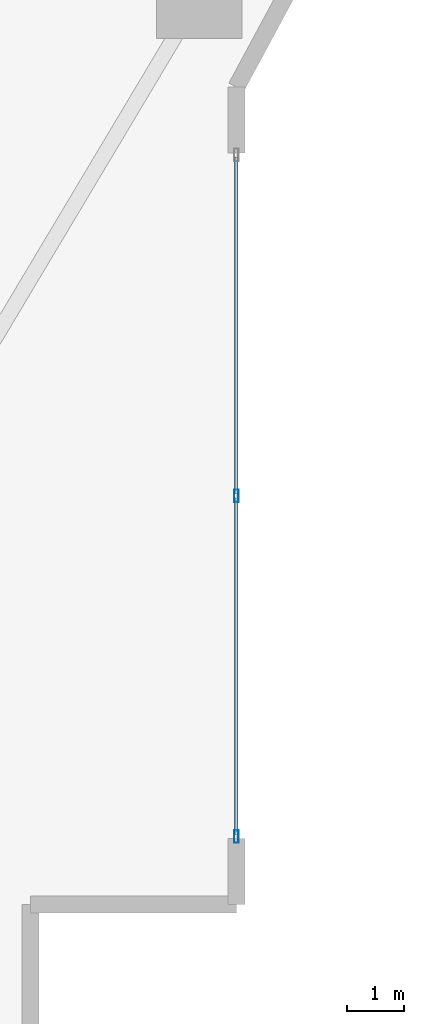
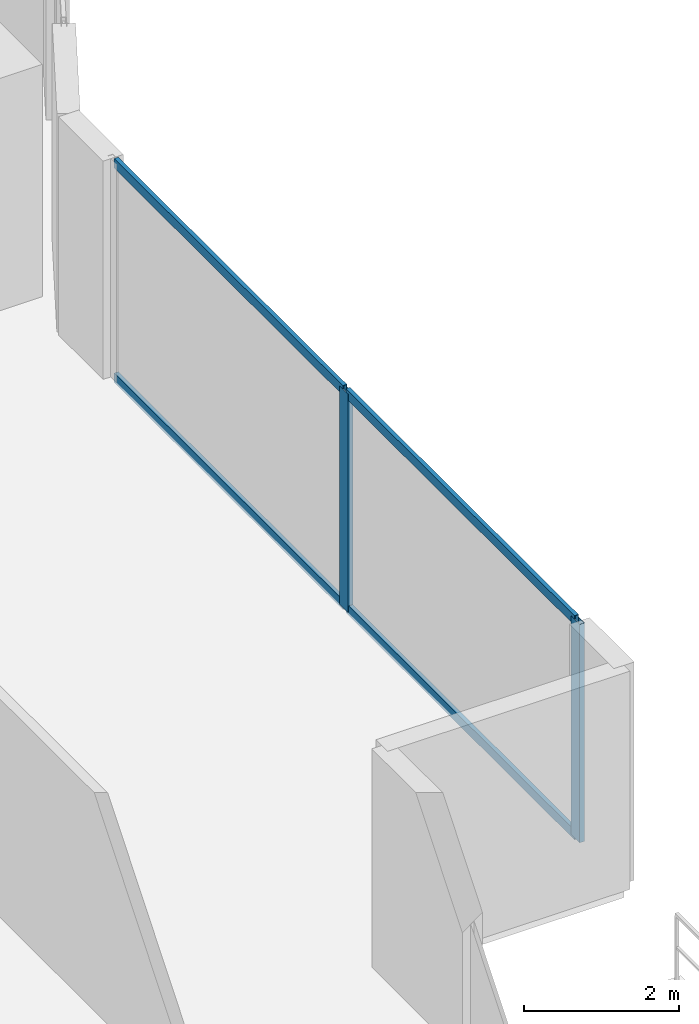
# One storey, part 10 of 29: 6 members, 1 element without a shape of its own.
"""IFC4 building model written with IfcOpenShell, lengths in metres."""

from ifc_helpers import new_model, si_unit, direction, frame, origin, origin_2d, place, context, subcontext, project, spatial, hollow_rectangle, extrude, material, layer, layer_set, material_profile, profile_set, type_object, element, aggregate, save


model = new_model("IFC4")

# Units and contexts
model_context = context("Model", 3, precision=1e-05, world=origin(), true_north=direction((0.0, 1.0)))
body_context = subcontext(model_context, "Body", "Model", "MODEL_VIEW")
ifc_project = project(units=[si_unit("LENGTHUNIT", "METRE"), si_unit("AREAUNIT", "SQUARE_METRE"), si_unit("VOLUMEUNIT", "CUBIC_METRE"), si_unit("PLANEANGLEUNIT", "RADIAN"), si_unit("MASSUNIT", "GRAM", prefix="KILO")], contexts=[model_context])

# Site, building, storey
site_placement = place(None, origin())
site = spatial("IfcSite", under=ifc_project, at=site_placement, CompositionType="ELEMENT")
building_placement = place(site_placement, origin())
building = spatial("IfcBuilding", under=site, at=building_placement, Name="Zuhayl Quay Hotel", CompositionType="ELEMENT")
storey_placement = place(building_placement, frame((0.0, 0.0, 42.199951171875)))
storey = spatial("IfcBuildingStorey", under=building, at=storey_placement, Name="L09", CompositionType="ELEMENT", Elevation=42.199951171875)

# Curtain wall, members
ifc_material_1 = material(Name="Anodised Aluminium 6063-T6", Category="aluminium")
ifc_layer = layer(ifc_material_1, 0.18994140625, Name="Anodised Aluminium 6063-T6", Category="aluminium")
ifc_layer_set = layer_set([ifc_layer], Name="Anodised Aluminium 6063-T6")
curtain_wall_type = type_object("IfcCurtainWallType", Name="CW_SYS_Z1", PredefinedType="USERDEFINED", material=ifc_layer_set)
curtain_wall_placement = place(storey_placement, origin())
curtain_wall = element("IfcCurtainWall", 1, at=curtain_wall_placement, inside=storey, type_object=curtain_wall_type, Name="L09 Curtain Wall ENV_L09_E14_CW1", ObjectType="UNITISED CURTAIN WALL", PredefinedType="USERDEFINED")
ifc_material_2 = material(Name="Black-anodised aluminium 6063-T6", Category="aluminium")
ifc_material_profile_1 = material_profile(ifc_material_2, hollow_rectangle(XDim=0.074951171875, YDim=0.219970703125, WallThickness=0.00390625, at=origin_2d()), Name="ALU220X75")
ifc_profile_set_1 = profile_set([ifc_material_profile_1], Name="Black-anodised aluminium 6063-T6")
member_type_1 = type_object("IfcMemberType", Name="MB_CW_MUL_220", PredefinedType="MULLION", material=ifc_profile_set_1)
member_1_placement = place(storey_placement, frame((25.699951171875, -12.35009765625, 0.0), z_axis=(0.0, 0.0, 1.0), x_axis=(1.0, 0.0, 0.0)))
member_1 = element("IfcMember", 2, at=member_1_placement, type_object=member_type_1, Name="CW-Z1 mullion 2", PredefinedType="MULLION", context=body_context, shape_type="SweptSolid", body=[
    extrude(hollow_rectangle(XDim=0.074951171875, YDim=0.219970703125, WallThickness=0.00390625, at=origin_2d()), origin(), (0.0, 0.0, 1.0), 3.429931640625),
])
member_2_placement = place(storey_placement, frame((25.699951171875, -18.3125, 0.0), z_axis=(0.0, 0.0, 1.0), x_axis=(1.0, 0.0, 0.0)))
member_2 = element("IfcMember", 3, at=member_2_placement, type_object=member_type_1, Name="CW-Z1 mullion 3", PredefinedType="MULLION", context=body_context, shape_type="SweptSolid", body=[
    extrude(hollow_rectangle(XDim=0.074951171875, YDim=0.219970703125, WallThickness=0.00390625, at=origin_2d()), origin(), (0.0, 0.0, 1.0), 3.429931640625),
])
ifc_material_profile_2 = material_profile(ifc_material_2, hollow_rectangle(XDim=0.06005859375, YDim=0.14990234375, WallThickness=0.00341796875, at=origin_2d()), Name="ALU150X60")
ifc_profile_set_2 = profile_set([ifc_material_profile_2], Name="Black-anodised aluminium 6063-T6")
member_type_2 = type_object("IfcMemberType", Name="MB_CW_TRN_150", PredefinedType="USERDEFINED", material=ifc_profile_set_2)
member_3_placement = place(storey_placement, frame((25.699951171875, -6.425048828125, 0.030029296875), z_axis=(0.0, -1.0, 0.0), x_axis=(1.0, 0.0, 0.0)))
member_3 = element("IfcMember", 4, at=member_3_placement, type_object=member_type_2, Name="CW-Z1 transom 1.1", ObjectType="TRANSOM", PredefinedType="USERDEFINED", context=body_context, shape_type="SweptSolid", body=[
    extrude(hollow_rectangle(XDim=0.06005859375, YDim=0.14990234375, WallThickness=0.00341796875, at=origin_2d()), origin(), (0.0, 0.0, 1.0), 5.887451171875),
])
member_4_placement = place(storey_placement, frame((25.699951171875, -6.425048828125, 3.400146484375), z_axis=(0.0, -1.0, 0.0), x_axis=(1.0, 0.0, 0.0)))
member_4 = element("IfcMember", 5, at=member_4_placement, type_object=member_type_2, Name="CW-Z1 transom 1.2", ObjectType="TRANSOM", PredefinedType="USERDEFINED", context=body_context, shape_type="SweptSolid", body=[
    extrude(hollow_rectangle(XDim=0.06005859375, YDim=0.14990234375, WallThickness=0.00341796875, at=origin_2d()), origin(), (0.0, 0.0, 1.0), 5.887451171875),
])
member_5_placement = place(storey_placement, frame((25.699951171875, -12.387451171875, 0.030029296875), z_axis=(0.0, -1.0, 0.0), x_axis=(1.0, 0.0, 0.0)))
member_5 = element("IfcMember", 6, at=member_5_placement, type_object=member_type_2, Name="CW-Z1 transom 2.1", ObjectType="TRANSOM", PredefinedType="USERDEFINED", context=body_context, shape_type="SweptSolid", body=[
    extrude(hollow_rectangle(XDim=0.06005859375, YDim=0.14990234375, WallThickness=0.00341796875, at=origin_2d()), origin(), (0.0, 0.0, 1.0), 5.887451171875),
])
member_6_placement = place(storey_placement, frame((25.699951171875, -12.387451171875, 3.400146484375), z_axis=(0.0, -1.0, 0.0), x_axis=(1.0, 0.0, 0.0)))
member_6 = element("IfcMember", 7, at=member_6_placement, type_object=member_type_2, Name="CW-Z1 transom 2.2", ObjectType="TRANSOM", PredefinedType="USERDEFINED", context=body_context, shape_type="SweptSolid", body=[
    extrude(hollow_rectangle(XDim=0.06005859375, YDim=0.14990234375, WallThickness=0.00341796875, at=origin_2d()), origin(), (0.0, 0.0, 1.0), 5.887451171875),
])
aggregate(curtain_wall, [member_1, member_2, member_3, member_4, member_5, member_6])

save(model, "model.ifc")
